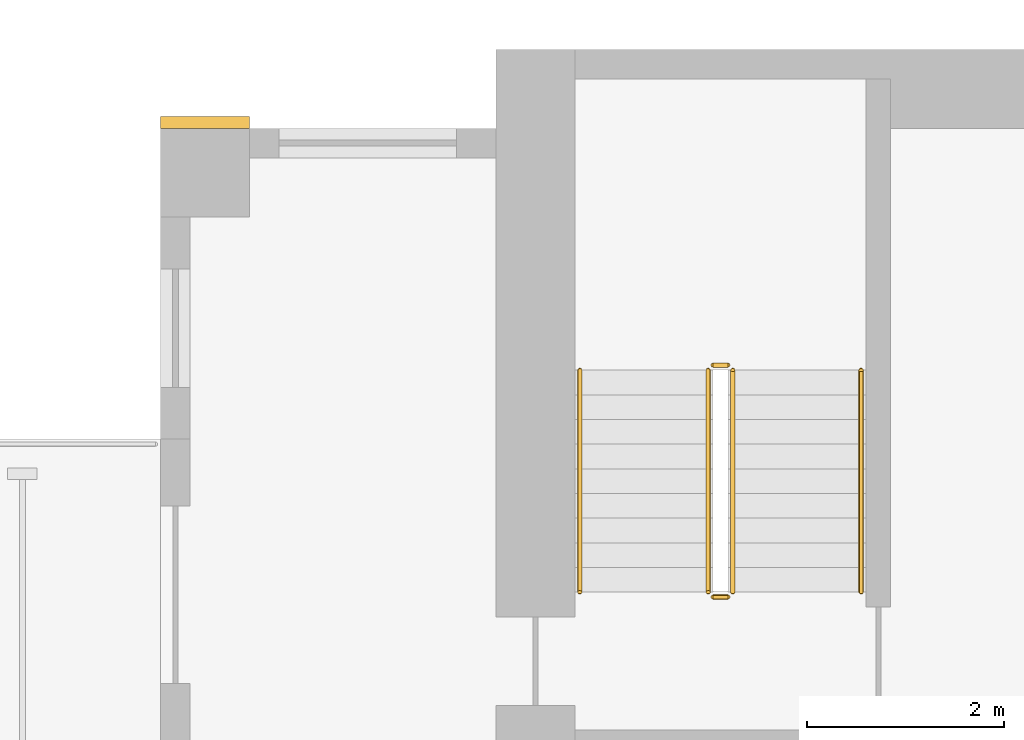
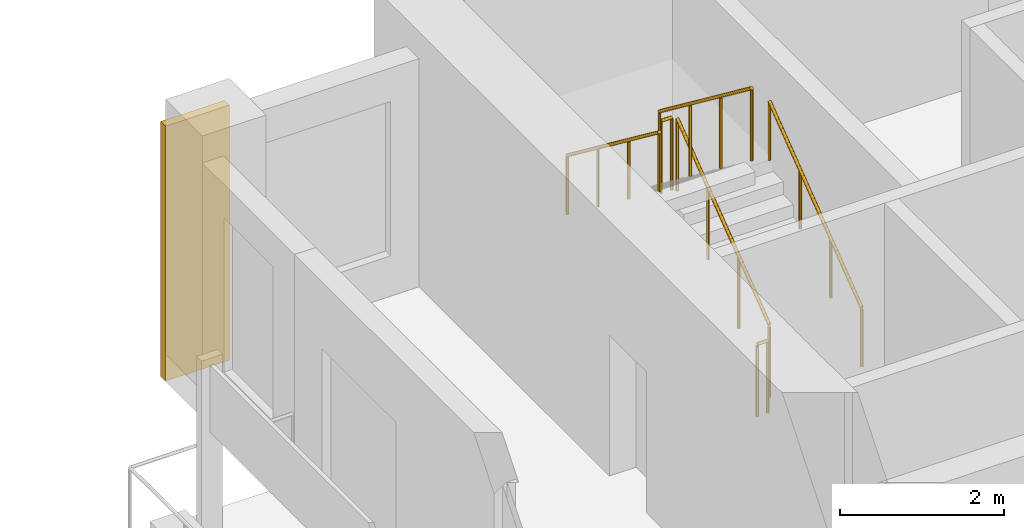
# One storey, part 11 of 13: 6 railings, 1 covering.
"""IFC4 building model written with IfcOpenShell, lengths in metres."""

from ifc_helpers import new_model, si_unit, direction, frame, origin, origin_2d, place, context, subcontext, project, spatial, rectangle, circle, extrude, source, transform, mapped, material, type_object, element, save


model = new_model("IFC4")

# Units and contexts
model_context = context("Model", 3, precision=1e-05, world=origin(), true_north=direction((0.0, 1.0)))
body_context = subcontext(model_context, "Body", "Model", "MODEL_VIEW")
ifc_project = project(units=[si_unit("LENGTHUNIT", "METRE"), si_unit("AREAUNIT", "SQUARE_METRE"), si_unit("VOLUMEUNIT", "CUBIC_METRE"), si_unit("PLANEANGLEUNIT", "RADIAN"), si_unit("MASSUNIT", "GRAM", prefix="KILO")], contexts=[model_context])

# Site, building, storey
site_placement = place(None, origin())
site = spatial("IfcSite", under=ifc_project, at=site_placement, CompositionType="ELEMENT")
building_placement = place(site_placement, origin())
building = spatial("IfcBuilding", under=site, at=building_placement, Name="Aurelian Terraces", CompositionType="ELEMENT")
storey_placement = place(building_placement, frame((0.0, 0.0, 193.0)))
storey = spatial("IfcBuildingStorey", under=building, at=storey_placement, Name="L42", CompositionType="ELEMENT", Elevation=193.0)

# Covering
ifc_material_1 = material(Name="Terracotta rainscreen cladding relief", Category="masonry")
covering_type = type_object("IfcCoveringType", Name="BAGUETTE-TC", PredefinedType="CLADDING", material=ifc_material_1)
shared_shape_1 = source(origin(), body_context, "Body", "SweptSolid", [
    extrude(rectangle(XDim=0.9, YDim=0.12, at=origin_2d()), origin(), (0.0, 0.0, 1.0), 3.8),
])
covering_placement = place(storey_placement, frame((0.45, 21.06, -0.4), z_axis=(0.0, 0.0, 1.0), x_axis=(1.0, 0.0, 0.0)))
element("IfcCovering", 1, at=covering_placement, inside=storey, type_object=covering_type, Name="BAGUETTE pier L42 5", PredefinedType="CLADDING", context=body_context, shape_type="MappedRepresentation", body=[
    mapped(shared_shape_1, transform((0.0, 0.0, 0.0), scale=1.0)),
])

# Railings
ifc_material_2 = material(Name="Stainless steel", Category="steel")
railing_type_1 = type_object("IfcRailingType", Name="Stair guard 1100", PredefinedType="GUARDRAIL", material=ifc_material_2)
shared_shape_2 = source(origin(), body_context, "Body", "SweptSolid", [
    extrude(circle(Radius=0.024, at=origin_2d()), frame((0.0, 0.0, 1.076), z_axis=(-1.0, 0.0, 0.0), x_axis=(0.0, -1.0, 0.0)), (0.0, 0.0, 1.0), 0.15),
    extrude(circle(Radius=0.021, at=origin_2d()), origin(), (0.0, 0.0, 1.0), 1.052),
    extrude(circle(Radius=0.021, at=origin_2d()), frame((-0.15, 0.0, 0.0)), (0.0, 0.0, 1.0), 1.052),
])
for number, where, name in (
    (2, (5.75, 18.6, 1.9), "L42 S1 stair guard 2"),
    (3, (5.75, 16.25, 0.0), "L42 S1 stair guard 4"),
):
    element("IfcRailing", number, at=place(storey_placement, frame(where)), inside=storey, type_object=railing_type_1, Name=name, PredefinedType="GUARDRAIL", context=body_context, shape_type="MappedRepresentation", body=[
        mapped(shared_shape_2, transform((0.0, 0.0, 0.0), scale=1.0)),
    ])
shared_shape_3 = source(origin(), body_context, "Body", "SweptSolid", [
    extrude(circle(Radius=0.024, at=origin_2d()), frame((0.0, 0.0, 1.076), z_axis=(0.0, 0.796162194123, 0.605083267534), x_axis=(-1.0, 0.0, 0.0)), (0.0, 0.0, 1.0), 2.8261),
    extrude(circle(Radius=0.021, at=origin_2d()), origin(), (0.0, 0.0, 1.0), 1.052),
    extrude(circle(Radius=0.021, at=origin_2d()), frame((0.0, 0.75, 0.57)), (0.0, 0.0, 1.0), 1.052),
    extrude(circle(Radius=0.021, at=origin_2d()), frame((0.0, 1.5, 1.14)), (0.0, 0.0, 1.0), 1.052),
    extrude(circle(Radius=0.021, at=origin_2d()), frame((0.0, 2.25, 1.71)), (0.0, 0.0, 1.0), 1.052),
])
railing_1_placement = place(storey_placement, frame((5.8, 16.3, 0.19)))
element("IfcRailing", 4, at=railing_1_placement, inside=storey, type_object=railing_type_1, Name="L42 S1 stair guard 1", PredefinedType="GUARDRAIL", context=body_context, shape_type="MappedRepresentation", body=[
    mapped(shared_shape_3, transform((0.0, 0.0, 0.0), scale=1.0)),
])
shared_shape_4 = source(origin(), body_context, "Body", "SweptSolid", [
    extrude(circle(Radius=0.024, at=origin_2d()), frame((0.0, 0.0, 1.076), z_axis=(0.0, -0.796162194123, 0.605083267534), x_axis=(1.0, 0.0, 0.0)), (0.0, 0.0, 1.0), 2.8261),
    extrude(circle(Radius=0.021, at=origin_2d()), origin(), (0.0, 0.0, 1.0), 1.052),
    extrude(circle(Radius=0.021, at=origin_2d()), frame((0.0, -0.75, 0.57)), (0.0, 0.0, 1.0), 1.052),
    extrude(circle(Radius=0.021, at=origin_2d()), frame((0.0, -1.5, 1.14)), (0.0, 0.0, 1.0), 1.052),
    extrude(circle(Radius=0.021, at=origin_2d()), frame((0.0, -2.25, 1.71)), (0.0, 0.0, 1.0), 1.052),
])
railing_2_placement = place(storey_placement, frame((5.55, 18.55, 2.09)))
element("IfcRailing", 5, at=railing_2_placement, inside=storey, type_object=railing_type_1, Name="L42 S1 stair guard 3", PredefinedType="GUARDRAIL", context=body_context, shape_type="MappedRepresentation", body=[
    mapped(shared_shape_4, transform((0.0, 0.0, 0.0), scale=1.0)),
])
railing_type_2 = type_object("IfcRailingType", Name="Stair handrail", PredefinedType="HANDRAIL", material=ifc_material_2)
shared_shape_5 = source(origin(), body_context, "Body", "SweptSolid", [
    extrude(circle(Radius=0.024, at=origin_2d()), frame((0.0, 0.0, 0.876), z_axis=(0.0, 0.796162194123, 0.605083267534), x_axis=(-1.0, 0.0, 0.0)), (0.0, 0.0, 1.0), 2.8261),
    extrude(circle(Radius=0.021, at=origin_2d()), origin(), (0.0, 0.0, 1.0), 0.852),
    extrude(circle(Radius=0.021, at=origin_2d()), frame((0.0, 0.75, 0.57)), (0.0, 0.0, 1.0), 0.852),
    extrude(circle(Radius=0.021, at=origin_2d()), frame((0.0, 1.5, 1.14)), (0.0, 0.0, 1.0), 0.852),
    extrude(circle(Radius=0.021, at=origin_2d()), frame((0.0, 2.25, 1.71)), (0.0, 0.0, 1.0), 0.852),
])
railing_3_placement = place(storey_placement, frame((7.1, 16.3, 0.19)))
element("IfcRailing", 6, at=railing_3_placement, inside=storey, type_object=railing_type_2, Name="L42 S1 stair handrail 1", PredefinedType="HANDRAIL", context=body_context, shape_type="MappedRepresentation", body=[
    mapped(shared_shape_5, transform((0.0, 0.0, 0.0), scale=1.0)),
])
shared_shape_6 = source(origin(), body_context, "Body", "SweptSolid", [
    extrude(circle(Radius=0.024, at=origin_2d()), frame((0.0, 0.0, 0.876), z_axis=(0.0, -0.796162194123, 0.605083267534), x_axis=(1.0, 0.0, 0.0)), (0.0, 0.0, 1.0), 2.8261),
    extrude(circle(Radius=0.021, at=origin_2d()), origin(), (0.0, 0.0, 1.0), 0.852),
    extrude(circle(Radius=0.021, at=origin_2d()), frame((0.0, -0.75, 0.57)), (0.0, 0.0, 1.0), 0.852),
    extrude(circle(Radius=0.021, at=origin_2d()), frame((0.0, -1.5, 1.14)), (0.0, 0.0, 1.0), 0.852),
    extrude(circle(Radius=0.021, at=origin_2d()), frame((0.0, -2.25, 1.71)), (0.0, 0.0, 1.0), 0.852),
])
railing_4_placement = place(storey_placement, frame((4.25, 18.55, 2.09)))
element("IfcRailing", 7, at=railing_4_placement, inside=storey, type_object=railing_type_2, Name="L42 S1 stair handrail 2", PredefinedType="HANDRAIL", context=body_context, shape_type="MappedRepresentation", body=[
    mapped(shared_shape_6, transform((0.0, 0.0, 0.0), scale=1.0)),
])

save(model, "model.ifc")
